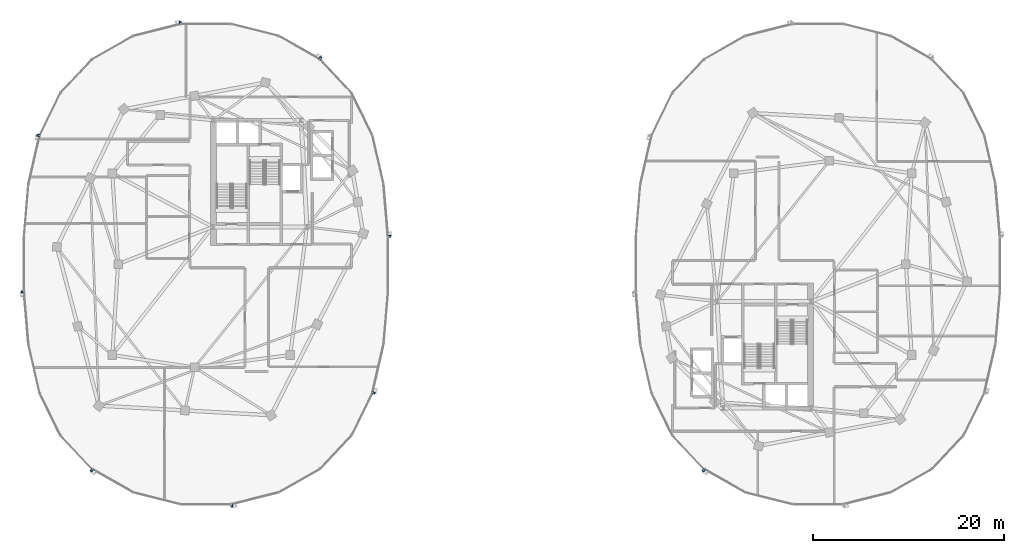
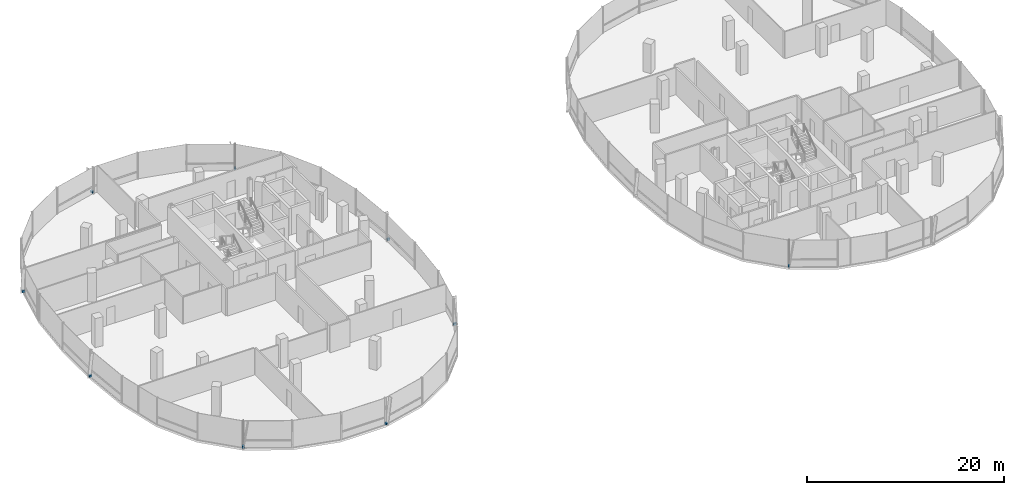
# One storey, part 19 of 25: 9 discrete accessories.
"""IFC4 building model written with IfcOpenShell, lengths in metres."""

from ifc_helpers import new_model, si_unit, direction, frame, origin, origin_2d, place, context, subcontext, project, spatial, rectangle, extrude, material, type_object, element, save


model = new_model("IFC4")

# Units and contexts
model_context = context("Model", 3, precision=1e-05, world=origin(), true_north=direction((0.0, 1.0)))
body_context = subcontext(model_context, "Body", "Model", "MODEL_VIEW")
ifc_project = project(units=[si_unit("LENGTHUNIT", "METRE"), si_unit("AREAUNIT", "SQUARE_METRE"), si_unit("VOLUMEUNIT", "CUBIC_METRE"), si_unit("PLANEANGLEUNIT", "RADIAN"), si_unit("MASSUNIT", "GRAM", prefix="KILO"), si_unit("THERMODYNAMICTEMPERATUREUNIT", "KELVIN"), si_unit("POWERUNIT", "WATT")], contexts=[model_context])

# Site, building, storey
site_placement = place(None, origin())
site = spatial("IfcSite", under=ifc_project, at=site_placement, CompositionType="ELEMENT")
building_placement = place(site_placement, origin())
building = spatial("IfcBuilding", under=site, at=building_placement, Name="Cundina Bronze Exchange", CompositionType="ELEMENT")
storey_placement = place(building_placement, frame((0.0, 0.0, 217.0)))
storey = spatial("IfcBuildingStorey", under=building, at=storey_placement, Name="L57", CompositionType="ELEMENT", Elevation=217.0)

# Discrete accessories
ifc_material = material(Name="Anodised Bronze Aluminium 6063-T6", Category="aluminium")
discrete_accessory_type = type_object("IfcDiscreteAccessoryType", Name="ACC-BRK-FIN", PredefinedType="BRACKET", material=ifc_material)
for number, where, z_axis, x_axis, name in (
    (1, (-12.84521484375, 2.893798828125, 0.10009765625), (0.0, 0.0, 1.0), (-0.083747411454, 0.996487015006, 0.0), "L57 Fin Support Bracket 1"),
    (2, (-20.038818359375, 21.539794921875, 0.10009765625), (0.0, 0.0, 1.0), (-0.869572506985, 0.493805280547, 0.0), "L57 Fin Support Bracket 5"),
    (3, (-34.678955078125, 25.23779296875, 0.10009765625), (0.0, 0.0, 1.0), (-0.969731542251, -0.244173577528, 0.0), "L57 Fin Support Bracket 1"),
    (4, (-49.529541015625, 13.468505859375, 0.10009765625), (0.0, 0.0, 1.0), (-0.223284141459, -0.974753400698, 0.0), "L57 Fin Support Bracket 5"),
    (5, (-51.15478515625, -2.893798828125, 0.10009765625), (0.0, 0.0, 1.0), (0.083747411454, -0.996487015006, 0.0), "L57 Fin Support Bracket 1"),
    (6, (-43.961181640625, -21.539794921875, 0.10009765625), (0.0, 0.0, 1.0), (0.869572506985, -0.493805280547, 0.0), "L57 Fin Support Bracket 5"),
    (7, (-29.321044921875, -25.23779296875, 0.10009765625), (0.0, 0.0, 1.0), (0.969731542251, 0.244173577528, 0.0), "L57 Fin Support Bracket 1"),
    (8, (-14.470458984375, -13.468505859375, 0.10009765625), (0.0, 0.0, 1.0), (0.223284141459, 0.974753400698, 0.0), "L57 Fin Support Bracket 5"),
    (9, (20.038818359375, -21.539794921875, 0.10009765625), (0.0, 0.0, 1.0), (0.869572506985, -0.493805280547, 0.0), "L57 Fin Support Bracket 5"),
):
    element("IfcDiscreteAccessory", number, at=place(storey_placement, frame(where, z_axis=z_axis, x_axis=x_axis)), inside=storey, type_object=discrete_accessory_type, Name=name, PredefinedType="BRACKET", context=body_context, shape_type="SweptSolid", body=[
        extrude(rectangle(XDim=0.219970703125, YDim=0.320068359375, at=origin_2d()), origin(), (0.0, 0.0, 1.0), 0.239990234375),
    ])

save(model, "model.ifc")
